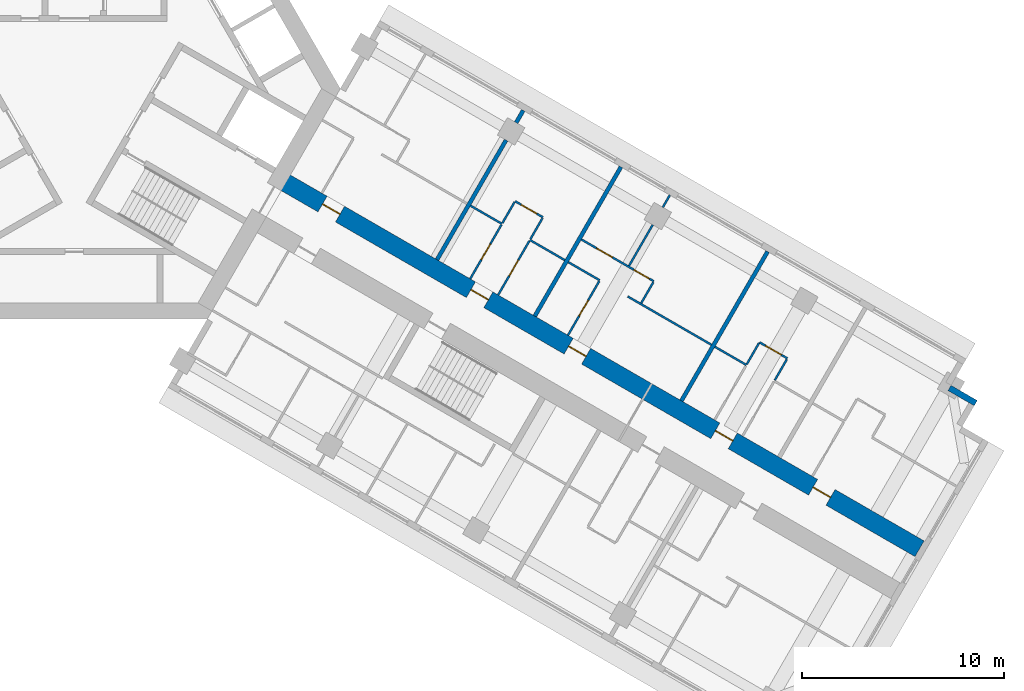
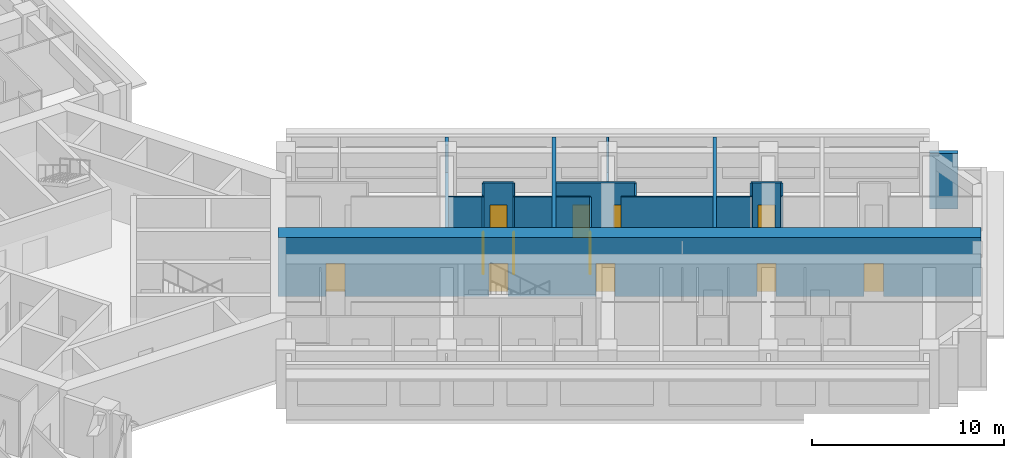
# One storey, part 12 of 16: 24 walls, 12 doors, 12 openings.
"""IFC4 building model written with IfcOpenShell, lengths in metres."""

from ifc_helpers import new_model, si_unit, direction, frame, frame_2d, origin, place, context, subcontext, project, spatial, rectangle, extrude, material, layer, layer_set, type_object, element, fill, save


model = new_model("IFC4")

# Units and contexts
model_context = context("Model", 3, precision=1e-05, world=origin(), true_north=direction((0.0, 1.0)))
body_context = subcontext(model_context, "Body", "Model", "MODEL_VIEW")
ifc_project = project(units=[si_unit("LENGTHUNIT", "METRE"), si_unit("AREAUNIT", "SQUARE_METRE"), si_unit("VOLUMEUNIT", "CUBIC_METRE"), si_unit("PLANEANGLEUNIT", "RADIAN"), si_unit("MASSUNIT", "GRAM", prefix="KILO")], contexts=[model_context])

# Site, building, storey
site_placement = place(None, origin())
site = spatial("IfcSite", under=ifc_project, at=site_placement, CompositionType="ELEMENT")
building_placement = place(site_placement, origin())
building = spatial("IfcBuilding", under=site, at=building_placement, Name="Impinga Residences", CompositionType="ELEMENT")
storey_placement = place(building_placement, frame((0.0, 0.0, 106.0)))
storey = spatial("IfcBuildingStorey", under=building, at=storey_placement, Name="L25", CompositionType="ELEMENT", Elevation=106.0)

# Wall, openings, doors
ifc_material_1 = material(Name="Concrete C60/75", Category="concrete")
ifc_layer_1 = layer(ifc_material_1, 0.89990234375)
ifc_layer_set_1 = layer_set([ifc_layer_1], Name="Concrete C60/75")
wall_type_1 = type_object("IfcWallType", Name="BW2 corridor buttress wall, L24 to L44 900", PredefinedType="SHEAR", material=ifc_layer_set_1)
wall_1_placement = place(storey_placement, frame((10.153564453125, -4.4765625, 0.0), z_axis=(0.0, 0.0, 1.0), x_axis=(0.866027614434, -0.499996171023, 0.0)))
wall_1 = element("IfcWall", 1, at=wall_1_placement, inside=storey, type_object=wall_type_1, Name="Corridor wall BW2 EC L25", PredefinedType="SHEAR", context=body_context, shape_type="SweptSolid", body=[
    extrude(rectangle(XDim=36.699951171875, YDim=0.89990234375, at=frame_2d((18.35009765625, 0.0))), origin(), (0.0, 0.0, 1.0), 3.75),
])
opening_1_placement = place(wall_1_placement, frame((2.5, 0.0, 0.0)))
opening_1 = element("IfcOpeningElement", 2, at=opening_1_placement, cuts=wall_1, Name="Opening D1", PredefinedType="OPENING", context=body_context, shape_type="SweptSolid", body=[
    extrude(rectangle(XDim=1.0, YDim=2.10009765625, at=frame_2d((0.5, 1.050048828125))), frame((0.0, 0.4599609375, 0.0), z_axis=(0.0, -1.0, 0.0), x_axis=(1.0, 0.0, 0.0)), (0.0, 0.0, 1.0), 0.919921875),
])
opening_2_placement = place(wall_1_placement, frame((11.0, 0.0, 0.0)))
opening_2 = element("IfcOpeningElement", 3, at=opening_2_placement, cuts=wall_1, Name="Opening D1", PredefinedType="OPENING", context=body_context, shape_type="SweptSolid", body=[
    extrude(rectangle(XDim=1.0, YDim=2.10009765625, at=frame_2d((0.5, 1.050048828125))), frame((0.0, 0.4599609375, 0.0), z_axis=(0.0, -1.0, 0.0), x_axis=(1.0, 0.0, 0.0)), (0.0, 0.0, 1.0), 0.919921875),
])
opening_3_placement = place(wall_1_placement, frame((16.60009765625, 0.0, 0.0)))
opening_3 = element("IfcOpeningElement", 4, at=opening_3_placement, cuts=wall_1, Name="Opening D1", PredefinedType="OPENING", context=body_context, shape_type="SweptSolid", body=[
    extrude(rectangle(XDim=1.0, YDim=2.10009765625, at=frame_2d((0.5, 1.050048828125))), frame((0.0, 0.4599609375, 0.0), z_axis=(0.0, -1.0, 0.0), x_axis=(1.0, 0.0, 0.0)), (0.0, 0.0, 1.0), 0.919921875),
])
opening_4_placement = place(wall_1_placement, frame((25.0, 0.0, 0.0)))
opening_4 = element("IfcOpeningElement", 5, at=opening_4_placement, cuts=wall_1, Name="Opening D1", PredefinedType="OPENING", context=body_context, shape_type="SweptSolid", body=[
    extrude(rectangle(XDim=1.0, YDim=2.10009765625, at=frame_2d((0.5, 1.050048828125))), frame((0.0, 0.4599609375, 0.0), z_axis=(0.0, -1.0, 0.0), x_axis=(1.0, 0.0, 0.0)), (0.0, 0.0, 1.0), 0.919921875),
])
opening_5_placement = place(wall_1_placement, frame((30.60009765625, 0.0, 0.0)))
opening_5 = element("IfcOpeningElement", 6, at=opening_5_placement, cuts=wall_1, Name="Opening D1", PredefinedType="OPENING", context=body_context, shape_type="SweptSolid", body=[
    extrude(rectangle(XDim=1.0, YDim=2.10009765625, at=frame_2d((0.5, 1.050048828125))), frame((0.0, 0.4599609375, 0.0), z_axis=(0.0, -1.0, 0.0), x_axis=(1.0, 0.0, 0.0)), (0.0, 0.0, 1.0), 0.919921875),
])
ifc_material_2 = material(Name="Timber door set", Category="wood")
door_type_1 = type_object("IfcDoorType", Name="D1 apartment entrance door 1000x2100", OperationType="SINGLE_SWING_LEFT", PredefinedType="DOOR", material=ifc_material_2)
door_1_placement = place(opening_1_placement, origin())
door_1 = element("IfcDoor", 7, at=door_1_placement, inside=storey, type_object=door_type_1, Name="Apartment L25-EA1 entrance", OperationType="SINGLE_SWING_LEFT", OverallHeight=2.10009765625, OverallWidth=1.0, PredefinedType="DOOR", context=body_context, shape_type="SweptSolid", body=[
    extrude(rectangle(XDim=1.0, YDim=2.10009765625, at=frame_2d((0.5, 1.050048828125))), frame((0.0, 0.02490234375, 0.0), z_axis=(0.0, -1.0, 0.0), x_axis=(1.0, 0.0, 0.0)), (0.0, 0.0, 1.0), 0.050048828125),
])
fill(opening_1, door_1)
door_2_placement = place(opening_2_placement, origin())
door_2 = element("IfcDoor", 8, at=door_2_placement, inside=storey, type_object=door_type_1, Name="Apartment L25-EA2 entrance", OperationType="SINGLE_SWING_LEFT", OverallHeight=2.10009765625, OverallWidth=1.0, PredefinedType="DOOR", context=body_context, shape_type="SweptSolid", body=[
    extrude(rectangle(XDim=1.0, YDim=2.10009765625, at=frame_2d((0.5, 1.050048828125))), frame((0.0, 0.02490234375, 0.0), z_axis=(0.0, -1.0, 0.0), x_axis=(1.0, 0.0, 0.0)), (0.0, 0.0, 1.0), 0.050048828125),
])
fill(opening_2, door_2)
door_3_placement = place(opening_3_placement, origin())
door_3 = element("IfcDoor", 9, at=door_3_placement, inside=storey, type_object=door_type_1, Name="Apartment L25-EA3 entrance", OperationType="SINGLE_SWING_LEFT", OverallHeight=2.10009765625, OverallWidth=1.0, PredefinedType="DOOR", context=body_context, shape_type="SweptSolid", body=[
    extrude(rectangle(XDim=1.0, YDim=2.10009765625, at=frame_2d((0.5, 1.050048828125))), frame((0.0, 0.02490234375, 0.0), z_axis=(0.0, -1.0, 0.0), x_axis=(1.0, 0.0, 0.0)), (0.0, 0.0, 1.0), 0.050048828125),
])
fill(opening_3, door_3)
door_4_placement = place(opening_4_placement, origin())
door_4 = element("IfcDoor", 10, at=door_4_placement, inside=storey, type_object=door_type_1, Name="Apartment L25-EA4 entrance", OperationType="SINGLE_SWING_RIGHT", OverallHeight=2.10009765625, OverallWidth=1.0, PredefinedType="DOOR", context=body_context, shape_type="SweptSolid", body=[
    extrude(rectangle(XDim=1.0, YDim=2.10009765625, at=frame_2d((0.5, 1.050048828125))), frame((0.0, 0.02490234375, 0.0), z_axis=(0.0, -1.0, 0.0), x_axis=(1.0, 0.0, 0.0)), (0.0, 0.0, 1.0), 0.050048828125),
])
fill(opening_4, door_4)
door_5_placement = place(opening_5_placement, origin())
door_5 = element("IfcDoor", 11, at=door_5_placement, inside=storey, type_object=door_type_1, Name="Apartment L25-EA5 entrance", OperationType="SINGLE_SWING_RIGHT", OverallHeight=2.10009765625, OverallWidth=1.0, PredefinedType="DOOR", context=body_context, shape_type="SweptSolid", body=[
    extrude(rectangle(XDim=1.0, YDim=2.10009765625, at=frame_2d((0.5, 1.050048828125))), frame((0.0, 0.02490234375, 0.0), z_axis=(0.0, -1.0, 0.0), x_axis=(1.0, 0.0, 0.0)), (0.0, 0.0, 1.0), 0.050048828125),
])
fill(opening_5, door_5)

# Walls
ifc_material_3 = material(Name="Terracotta rainscreen on blockwork", Category="masonry")
ifc_layer_2 = layer(ifc_material_3, 0.300048828125)
ifc_layer_set_2 = layer_set([ifc_layer_2], Name="EW1 external wall, terracotta rainscreen on blockwork 300")
wall_type_2 = type_object("IfcWallType", Name="EW1 external wall, terracotta rainscreen on blockwork 300", PredefinedType="SOLIDWALL", material=ifc_layer_set_2)
wall_2_placement = place(storey_placement, frame((43.42333984375, -14.8515625, 0.0), z_axis=(0.0, 0.0, 1.0), x_axis=(0.866031096941, -0.499990139034, 0.0)))
element("IfcWall", 12, at=wall_2_placement, inside=storey, type_object=wall_type_2, Name="External wall EW1 L25", PredefinedType="SOLIDWALL", context=body_context, shape_type="SweptSolid", body=[
    extrude(rectangle(XDim=1.5, YDim=0.300048828125, at=frame_2d((0.75, 0.0))), origin(), (0.0, 0.0, 1.0), 3.530029296875),
])
ifc_material_4 = material(Name="Gypsum board on steel studs", Category="steel")
ifc_layer_3 = layer(ifc_material_4, 0.10009765625)
ifc_layer_set_3 = layer_set([ifc_layer_3], Name="Gypsum board on steel studs")
wall_type_3 = type_object("IfcWallType", Name="IP1 partition 100", PredefinedType="PARTITIONING", material=ifc_layer_set_3)
wall_3_placement = place(storey_placement, frame((19.6611328125, -5.808837890625, 0.0), z_axis=(0.0, 0.0, 1.0), x_axis=(0.866047807691, -0.499961193289, 0.0)))
element("IfcWall", 13, at=wall_3_placement, inside=storey, type_object=wall_type_3, Name="Partition L25-EA2:DIV0", PredefinedType="PARTITIONING", context=body_context, shape_type="SweptSolid", body=[
    extrude(rectangle(XDim=1.800048828125, YDim=0.10009765625, at=frame_2d((0.89990234375, 0.0))), origin(), (0.0, 0.0, 1.0), 3.530029296875),
])
wall_4_placement = place(storey_placement, frame((22.605712890625, -7.5087890625, 0.0), z_axis=(0.0, 0.0, 1.0), x_axis=(0.866010750942, -0.50002537861, 0.0)))
element("IfcWall", 14, at=wall_4_placement, inside=storey, type_object=wall_type_3, Name="Partition L25-EA2:DIV1", PredefinedType="PARTITIONING", context=body_context, shape_type="SweptSolid", body=[
    extrude(rectangle(XDim=2.0, YDim=0.10009765625, at=frame_2d((1.0, 0.0))), origin(), (0.0, 0.0, 1.0), 3.530029296875),
])

# Wall, opening, door
wall_5_placement = place(storey_placement, frame((21.8701171875, -5.5830078125, 0.0), z_axis=(0.0, 0.0, 1.0), x_axis=(0.865989903783, -0.500061482766, 0.0)))
wall_5 = element("IfcWall", 15, at=wall_5_placement, inside=storey, type_object=wall_type_3, Name="Partition L25-EA2:STRIP", PredefinedType="PARTITIONING", context=body_context, shape_type="SweptSolid", body=[
    extrude(rectangle(XDim=1.599853515625, YDim=0.10009765625, at=frame_2d((0.7998046875, 0.0))), origin(), (0.0, 0.0, 1.0), 3.530029296875),
])
opening_6_placement = place(wall_5_placement, frame((0.35009765625, 0.0, 0.0)))
opening_6 = element("IfcOpeningElement", 16, at=opening_6_placement, cuts=wall_5, Name="Opening D2", PredefinedType="OPENING", context=body_context, shape_type="SweptSolid", body=[
    extrude(rectangle(XDim=0.89990234375, YDim=2.10009765625, at=frame_2d((0.449951171875, 1.050048828125))), frame((0.0, 0.06005859375, 0.0), z_axis=(0.0, -1.0, 0.0), x_axis=(1.0, 0.0, 0.0)), (0.0, 0.0, 1.0), 0.1201171875),
])
door_type_2 = type_object("IfcDoorType", Name="D2 internal door 900x2100", OperationType="SINGLE_SWING_LEFT", PredefinedType="DOOR", material=ifc_material_2)
door_6_placement = place(opening_6_placement, origin())
door_6 = element("IfcDoor", 17, at=door_6_placement, inside=storey, type_object=door_type_2, Name="Apartment L25-EA2 room door", OperationType="SINGLE_SWING_LEFT", OverallHeight=2.10009765625, OverallWidth=0.89990234375, PredefinedType="DOOR", context=body_context, shape_type="SweptSolid", body=[
    extrude(rectangle(XDim=0.89990234375, YDim=2.10009765625, at=frame_2d((0.449951171875, 1.050048828125))), frame((0.0, 0.02490234375, 0.0), z_axis=(0.0, -1.0, 0.0), x_axis=(1.0, 0.0, 0.0)), (0.0, 0.0, 1.0), 0.050048828125),
])
fill(opening_6, door_6)

# Walls
wall_6_placement = place(storey_placement, frame((21.2451171875, -6.66552734375, 0.0), z_axis=(0.0, 0.0, 1.0), x_axis=(0.499880961361, 0.866094119867, 0.0)))
element("IfcWall", 18, at=wall_6_placement, inside=storey, type_object=wall_type_3, Name="Partition L25-EA2:SE0", PredefinedType="PARTITIONING", context=body_context, shape_type="SweptSolid", body=[
    extrude(rectangle(XDim=1.199951171875, YDim=0.10009765625, at=frame_2d((0.60009765625, 0.0))), origin(), (0.0, 0.0, 1.0), 3.530029296875),
])
wall_7_placement = place(storey_placement, frame((22.630615234375, -7.465576171875, 0.0), z_axis=(0.0, 0.0, 1.0), x_axis=(0.500033551112, 0.866006032174, 0.0)))
element("IfcWall", 19, at=wall_7_placement, inside=storey, type_object=wall_type_3, Name="Partition L25-EA2:SE1", PredefinedType="PARTITIONING", context=body_context, shape_type="SweptSolid", body=[
    extrude(rectangle(XDim=1.2001953125, YDim=0.10009765625, at=frame_2d((0.60009765625, 0.0))), origin(), (0.0, 0.0, 1.0), 3.530029296875),
])

# Wall, opening, door
wall_8_placement = place(storey_placement, frame((19.64501953125, -9.436767578125, 0.0), z_axis=(0.0, 0.0, 1.0), x_axis=(0.500026960575, 0.86600983753, 0.0)))
wall_8 = element("IfcWall", 20, at=wall_8_placement, inside=storey, type_object=wall_type_3, Name="Partition L25-EA2:IB1", PredefinedType="PARTITIONING", context=body_context, shape_type="SweptSolid", body=[
    extrude(rectangle(XDim=3.099853515625, YDim=0.10009765625, at=frame_2d((1.5498046875, 0.0))), origin(), (0.0, 0.0, 1.0), 3.530029296875),
])
opening_7_placement = place(wall_8_placement, frame((1.10009765625, 0.0, 0.0)))
opening_7 = element("IfcOpeningElement", 21, at=opening_7_placement, cuts=wall_8, Name="Opening D2", PredefinedType="OPENING", context=body_context, shape_type="SweptSolid", body=[
    extrude(rectangle(XDim=0.89990234375, YDim=2.10009765625, at=frame_2d((0.449951171875, 1.050048828125))), frame((0.0, 0.06005859375, 0.0), z_axis=(0.0, -1.0, 0.0), x_axis=(1.0, 0.0, 0.0)), (0.0, 0.0, 1.0), 0.1201171875),
])
door_7_placement = place(opening_7_placement, origin())
door_7 = element("IfcDoor", 22, at=door_7_placement, inside=storey, type_object=door_type_2, Name="Apartment L25-EA2 bathroom door", OperationType="SINGLE_SWING_LEFT", OverallHeight=2.10009765625, OverallWidth=0.89990234375, PredefinedType="DOOR", context=body_context, shape_type="SweptSolid", body=[
    extrude(rectangle(XDim=0.89990234375, YDim=2.10009765625, at=frame_2d((0.449951171875, 1.050048828125))), frame((0.0, 0.02490234375, 0.0), z_axis=(0.0, -1.0, 0.0), x_axis=(1.0, 0.0, 0.0)), (0.0, 0.0, 1.0), 0.050048828125),
])
fill(opening_7, door_7)

wall_9_placement = place(storey_placement, frame((21.03076171875, -10.23681640625, 0.0), z_axis=(0.0, 0.0, 1.0), x_axis=(0.500026960575, 0.86600983753, 0.0)))
wall_9 = element("IfcWall", 23, at=wall_9_placement, inside=storey, type_object=wall_type_3, Name="Partition L25-EA2:IB2", PredefinedType="PARTITIONING", context=body_context, shape_type="SweptSolid", body=[
    extrude(rectangle(XDim=3.099853515625, YDim=0.10009765625, at=frame_2d((1.5498046875, 0.0))), origin(), (0.0, 0.0, 1.0), 3.530029296875),
])
opening_8_placement = place(wall_9_placement, frame((1.10009765625, 0.0, 0.0)))
opening_8 = element("IfcOpeningElement", 24, at=opening_8_placement, cuts=wall_9, Name="Opening D2", PredefinedType="OPENING", context=body_context, shape_type="SweptSolid", body=[
    extrude(rectangle(XDim=0.89990234375, YDim=2.10009765625, at=frame_2d((0.449951171875, 1.050048828125))), frame((0.0, 0.06005859375, 0.0), z_axis=(0.0, -1.0, 0.0), x_axis=(1.0, 0.0, 0.0)), (0.0, 0.0, 1.0), 0.1201171875),
])
door_8_placement = place(opening_8_placement, origin())
door_8 = element("IfcDoor", 25, at=door_8_placement, inside=storey, type_object=door_type_2, Name="Apartment L25-EA2 WC door", OperationType="SINGLE_SWING_LEFT", OverallHeight=2.10009765625, OverallWidth=0.89990234375, PredefinedType="DOOR", context=body_context, shape_type="SweptSolid", body=[
    extrude(rectangle(XDim=0.89990234375, YDim=2.10009765625, at=frame_2d((0.449951171875, 1.050048828125))), frame((0.0, 0.02490234375, 0.0), z_axis=(0.0, -1.0, 0.0), x_axis=(1.0, 0.0, 0.0)), (0.0, 0.0, 1.0), 0.050048828125),
])
fill(opening_8, door_8)

# Walls
wall_10_placement = place(storey_placement, frame((24.510986328125, -8.60888671875, 0.0), z_axis=(0.0, 0.0, 1.0), x_axis=(0.866047807691, -0.499961193289, 0.0)))
element("IfcWall", 26, at=wall_10_placement, inside=storey, type_object=wall_type_3, Name="Partition L25-EA3:DIV0", PredefinedType="PARTITIONING", context=body_context, shape_type="SweptSolid", body=[
    extrude(rectangle(XDim=1.800048828125, YDim=0.10009765625, at=frame_2d((0.89990234375, 0.0))), origin(), (0.0, 0.0, 1.0), 3.530029296875),
])
wall_11_placement = place(storey_placement, frame((27.45556640625, -10.308837890625, 0.0), z_axis=(0.0, 0.0, 1.0), x_axis=(0.866024647952, -0.500001309137, 0.0)))
element("IfcWall", 27, at=wall_11_placement, inside=storey, type_object=wall_type_3, Name="Partition L25-EA3:DIV1", PredefinedType="PARTITIONING", context=body_context, shape_type="SweptSolid", body=[
    extrude(rectangle(XDim=4.7998046875, YDim=0.10009765625, at=frame_2d((2.39990234375, 0.0))), origin(), (0.0, 0.0, 1.0), 3.530029296875),
])

# Wall, openings, doors
wall_12_placement = place(storey_placement, frame((25.160888671875, -7.48291015625, 0.0), z_axis=(0.0, 0.0, 1.0), x_axis=(0.866004344652, -0.500036473714, 0.0)))
wall_12 = element("IfcWall", 28, at=wall_12_placement, inside=storey, type_object=wall_type_3, Name="Partition L25-EA3:STRIP", PredefinedType="PARTITIONING", context=body_context, shape_type="SweptSolid", body=[
    extrude(rectangle(XDim=4.150146484375, YDim=0.10009765625, at=frame_2d((2.0751953125, 0.0))), origin(), (0.0, 0.0, 1.0), 3.530029296875),
])
opening_9_placement = place(wall_12_placement, frame((0.875, 0.0, 0.0)))
opening_9 = element("IfcOpeningElement", 29, at=opening_9_placement, cuts=wall_12, Name="Opening D2", PredefinedType="OPENING", context=body_context, shape_type="SweptSolid", body=[
    extrude(rectangle(XDim=0.89990234375, YDim=2.10009765625, at=frame_2d((0.449951171875, 1.050048828125))), frame((0.0, 0.06005859375, 0.0), z_axis=(0.0, -1.0, 0.0), x_axis=(1.0, 0.0, 0.0)), (0.0, 0.0, 1.0), 0.1201171875),
])
opening_10_placement = place(wall_12_placement, frame((3.0, 0.0, 0.0)))
opening_10 = element("IfcOpeningElement", 30, at=opening_10_placement, cuts=wall_12, Name="Opening D2", PredefinedType="OPENING", context=body_context, shape_type="SweptSolid", body=[
    extrude(rectangle(XDim=0.89990234375, YDim=2.10009765625, at=frame_2d((0.449951171875, 1.050048828125))), frame((0.0, 0.06005859375, 0.0), z_axis=(0.0, -1.0, 0.0), x_axis=(1.0, 0.0, 0.0)), (0.0, 0.0, 1.0), 0.1201171875),
])
door_9_placement = place(opening_9_placement, origin())
door_9 = element("IfcDoor", 31, at=door_9_placement, inside=storey, type_object=door_type_2, Name="Apartment L25-EA3 room door", OperationType="SINGLE_SWING_LEFT", OverallHeight=2.10009765625, OverallWidth=0.89990234375, PredefinedType="DOOR", context=body_context, shape_type="SweptSolid", body=[
    extrude(rectangle(XDim=0.89990234375, YDim=2.10009765625, at=frame_2d((0.449951171875, 1.050048828125))), frame((0.0, 0.02490234375, 0.0), z_axis=(0.0, -1.0, 0.0), x_axis=(1.0, 0.0, 0.0)), (0.0, 0.0, 1.0), 0.050048828125),
])
fill(opening_9, door_9)
door_10_placement = place(opening_10_placement, origin())
door_10 = element("IfcDoor", 32, at=door_10_placement, inside=storey, type_object=door_type_2, Name="Apartment L25-EA3 room door", OperationType="SINGLE_SWING_RIGHT", OverallHeight=2.10009765625, OverallWidth=0.89990234375, PredefinedType="DOOR", context=body_context, shape_type="SweptSolid", body=[
    extrude(rectangle(XDim=0.89990234375, YDim=2.10009765625, at=frame_2d((0.449951171875, 1.050048828125))), frame((0.0, 0.02490234375, 0.0), z_axis=(0.0, -1.0, 0.0), x_axis=(1.0, 0.0, 0.0)), (0.0, 0.0, 1.0), 0.050048828125),
])
fill(opening_10, door_10)

# Wall
wall_13_placement = place(storey_placement, frame((28.1298828125, -10.640625, 0.0), z_axis=(0.0, 0.0, 1.0), x_axis=(0.500033551112, 0.866006032174, 0.0)))
element("IfcWall", 33, at=wall_13_placement, inside=storey, type_object=wall_type_3, Name="Partition L25-EA3:SE1", PredefinedType="PARTITIONING", context=body_context, shape_type="SweptSolid", body=[
    extrude(rectangle(XDim=1.2001953125, YDim=0.10009765625, at=frame_2d((0.60009765625, 0.0))), origin(), (0.0, 0.0, 1.0), 3.530029296875),
])

# Wall, opening, door
wall_14_placement = place(storey_placement, frame((24.494873046875, -12.23681640625, 0.0), z_axis=(0.0, 0.0, 1.0), x_axis=(0.500026960575, 0.86600983753, 0.0)))
wall_14 = element("IfcWall", 34, at=wall_14_placement, inside=storey, type_object=wall_type_3, Name="Partition L25-EA3:IB1", PredefinedType="PARTITIONING", context=body_context, shape_type="SweptSolid", body=[
    extrude(rectangle(XDim=3.099853515625, YDim=0.10009765625, at=frame_2d((1.5498046875, 0.0))), origin(), (0.0, 0.0, 1.0), 3.530029296875),
])
opening_11_placement = place(wall_14_placement, frame((1.10009765625, 0.0, 0.0)))
opening_11 = element("IfcOpeningElement", 35, at=opening_11_placement, cuts=wall_14, Name="Opening D2", PredefinedType="OPENING", context=body_context, shape_type="SweptSolid", body=[
    extrude(rectangle(XDim=0.89990234375, YDim=2.10009765625, at=frame_2d((0.449951171875, 1.050048828125))), frame((0.0, 0.06005859375, 0.0), z_axis=(0.0, -1.0, 0.0), x_axis=(1.0, 0.0, 0.0)), (0.0, 0.0, 1.0), 0.1201171875),
])
door_11_placement = place(opening_11_placement, origin())
door_11 = element("IfcDoor", 36, at=door_11_placement, inside=storey, type_object=door_type_2, Name="Apartment L25-EA3 bathroom door", OperationType="SINGLE_SWING_LEFT", OverallHeight=2.10009765625, OverallWidth=0.89990234375, PredefinedType="DOOR", context=body_context, shape_type="SweptSolid", body=[
    extrude(rectangle(XDim=0.89990234375, YDim=2.10009765625, at=frame_2d((0.449951171875, 1.050048828125))), frame((0.0, 0.02490234375, 0.0), z_axis=(0.0, -1.0, 0.0), x_axis=(1.0, 0.0, 0.0)), (0.0, 0.0, 1.0), 0.050048828125),
])
fill(opening_11, door_11)

# Walls
wall_15_placement = place(storey_placement, frame((27.524169921875, -8.789794921875, 0.0), z_axis=(0.0, 0.0, 1.0), x_axis=(0.500016218704, 0.866016039709, 0.0)))
element("IfcWall", 37, at=wall_15_placement, inside=storey, type_object=wall_type_3, Name="Partition L25-EA3:OB1", PredefinedType="PARTITIONING", context=body_context, shape_type="SweptSolid", body=[
    extrude(rectangle(XDim=2.35009765625, YDim=0.10009765625, at=frame_2d((1.175048828125, 0.0))), origin(), (0.0, 0.0, 1.0), 2.47998046875),
])
wall_16_placement = place(storey_placement, frame((29.19921875, -5.888427734375, 0.0), z_axis=(0.0, 0.0, 1.0), x_axis=(0.500114896893, 0.865959057869, 0.0)))
element("IfcWall", 38, at=wall_16_placement, inside=storey, type_object=wall_type_3, Name="Partition L25-EA3:OB1b", PredefinedType="PARTITIONING", context=body_context, shape_type="SweptSolid", body=[
    extrude(rectangle(XDim=0.699951171875, YDim=0.10009765625, at=frame_2d((0.35009765625, 0.0))), origin(), (0.0, 0.0, 1.0), 3.530029296875),
])
wall_17_placement = place(storey_placement, frame((31.78564453125, -12.808837890625, 0.0), z_axis=(0.0, 0.0, 1.0), x_axis=(0.866047807691, -0.499961193289, 0.0)))
element("IfcWall", 39, at=wall_17_placement, inside=storey, type_object=wall_type_3, Name="Partition L25-EA4:DIV0", PredefinedType="PARTITIONING", context=body_context, shape_type="SweptSolid", body=[
    extrude(rectangle(XDim=1.800048828125, YDim=0.10009765625, at=frame_2d((0.89990234375, 0.0))), origin(), (0.0, 0.0, 1.0), 3.530029296875),
])

# Wall, opening, door
wall_18_placement = place(storey_placement, frame((33.994384765625, -12.5830078125, 0.0), z_axis=(0.0, 0.0, 1.0), x_axis=(0.866028054938, -0.499995408039, 0.0)))
wall_18 = element("IfcWall", 40, at=wall_18_placement, inside=storey, type_object=wall_type_3, Name="Partition L25-EA4:STRIP", PredefinedType="PARTITIONING", context=body_context, shape_type="SweptSolid", body=[
    extrude(rectangle(XDim=1.60009765625, YDim=0.10009765625, at=frame_2d((0.800048828125, 0.0))), origin(), (0.0, 0.0, 1.0), 3.530029296875),
])
opening_12_placement = place(wall_18_placement, frame((0.35009765625, 0.0, 0.0)))
opening_12 = element("IfcOpeningElement", 41, at=opening_12_placement, cuts=wall_18, Name="Opening D2", PredefinedType="OPENING", context=body_context, shape_type="SweptSolid", body=[
    extrude(rectangle(XDim=0.89990234375, YDim=2.10009765625, at=frame_2d((0.449951171875, 1.050048828125))), frame((0.0, 0.06005859375, 0.0), z_axis=(0.0, -1.0, 0.0), x_axis=(1.0, 0.0, 0.0)), (0.0, 0.0, 1.0), 0.1201171875),
])
door_12_placement = place(opening_12_placement, origin())
door_12 = element("IfcDoor", 42, at=door_12_placement, inside=storey, type_object=door_type_2, Name="Apartment L25-EA4 room door", OperationType="SINGLE_SWING_LEFT", OverallHeight=2.10009765625, OverallWidth=0.89990234375, PredefinedType="DOOR", context=body_context, shape_type="SweptSolid", body=[
    extrude(rectangle(XDim=0.89990234375, YDim=2.10009765625, at=frame_2d((0.449951171875, 1.050048828125))), frame((0.0, 0.02490234375, 0.0), z_axis=(0.0, -1.0, 0.0), x_axis=(1.0, 0.0, 0.0)), (0.0, 0.0, 1.0), 0.050048828125),
])
fill(opening_12, door_12)

# Walls
wall_19_placement = place(storey_placement, frame((33.369384765625, -13.66552734375, 0.0), z_axis=(0.0, 0.0, 1.0), x_axis=(0.500033551112, 0.866006032174, 0.0)))
element("IfcWall", 43, at=wall_19_placement, inside=storey, type_object=wall_type_3, Name="Partition L25-EA4:SE0", PredefinedType="PARTITIONING", context=body_context, shape_type="SweptSolid", body=[
    extrude(rectangle(XDim=1.2001953125, YDim=0.10009765625, at=frame_2d((0.60009765625, 0.0))), origin(), (0.0, 0.0, 1.0), 3.530029296875),
])
wall_20_placement = place(storey_placement, frame((34.755126953125, -14.465576171875, 0.0), z_axis=(0.0, 0.0, 1.0), x_axis=(0.499880961361, 0.866094119867, 0.0)))
element("IfcWall", 44, at=wall_20_placement, inside=storey, type_object=wall_type_3, Name="Partition L25-EA4:SE1", PredefinedType="PARTITIONING", context=body_context, shape_type="SweptSolid", body=[
    extrude(rectangle(XDim=1.199951171875, YDim=0.10009765625, at=frame_2d((0.60009765625, 0.0))), origin(), (0.0, 0.0, 1.0), 3.530029296875),
])
ifc_material_5 = material(Name="Concrete blockwork", Category="masonry")
ifc_layer_4 = layer(ifc_material_5, 0.199951171875)
ifc_layer_set_4 = layer_set([ifc_layer_4], Name="PW1 party wall between apartments 200")
wall_type_4 = type_object("IfcWallType", Name="PW1 party wall between apartments 200", PredefinedType="SOLIDWALL", material=ifc_layer_set_4)
wall_21_placement = place(storey_placement, frame((17.99951171875, -8.48681640625, 0.0), z_axis=(0.0, 0.0, 1.0), x_axis=(0.499999086063, 0.866025931445, 0.0)))
element("IfcWall", 45, at=wall_21_placement, inside=storey, type_object=wall_type_4, Name="Party wall between apartments L25-EA1:PARTY", PredefinedType="SOLIDWALL", context=body_context, shape_type="SweptSolid", body=[
    extrude(rectangle(XDim=6.85009765625, YDim=0.199951171875, at=frame_2d((3.425048828125, 0.0))), origin(), (0.0, 0.0, 1.0), 2.47998046875),
])
wall_22_placement = place(storey_placement, frame((21.924560546875, -1.6884765625, 0.0), z_axis=(0.0, 0.0, 1.0), x_axis=(0.500114896893, 0.865959057869, 0.0)))
element("IfcWall", 46, at=wall_22_placement, inside=storey, type_object=wall_type_4, Name="Party wall between apartments L25-EA1:PARTYb", PredefinedType="SOLIDWALL", context=body_context, shape_type="SweptSolid", body=[
    extrude(rectangle(XDim=0.699951171875, YDim=0.199951171875, at=frame_2d((0.35009765625, 0.0))), origin(), (0.0, 0.0, 1.0), 3.530029296875),
])
for number, where, z_axis, x_axis, name in (
    (47, (22.849365234375, -11.286865234375, 0.0), (0.0, 0.0, 1.0), (0.499990227581, 0.86603104582, 0.0), "Party wall between apartments L25-EA2:PARTY"),
    (48, (30.1240234375, -15.48681640625, 0.0), (0.0, 0.0, 1.0), (0.499990227581, 0.86603104582, 0.0), "Party wall between apartments L25-EA3:PARTY"),
):
    element("IfcWall", number, at=place(storey_placement, frame(where, z_axis=z_axis, x_axis=x_axis)), inside=storey, type_object=wall_type_4, Name=name, PredefinedType="SOLIDWALL", context=body_context, shape_type="SweptSolid", body=[
        extrude(rectangle(XDim=8.550048828125, YDim=0.199951171875, at=frame_2d((4.27490234375, 0.0))), origin(), (0.0, 0.0, 1.0), 3.530029296875),
    ])

save(model, "model.ifc")
